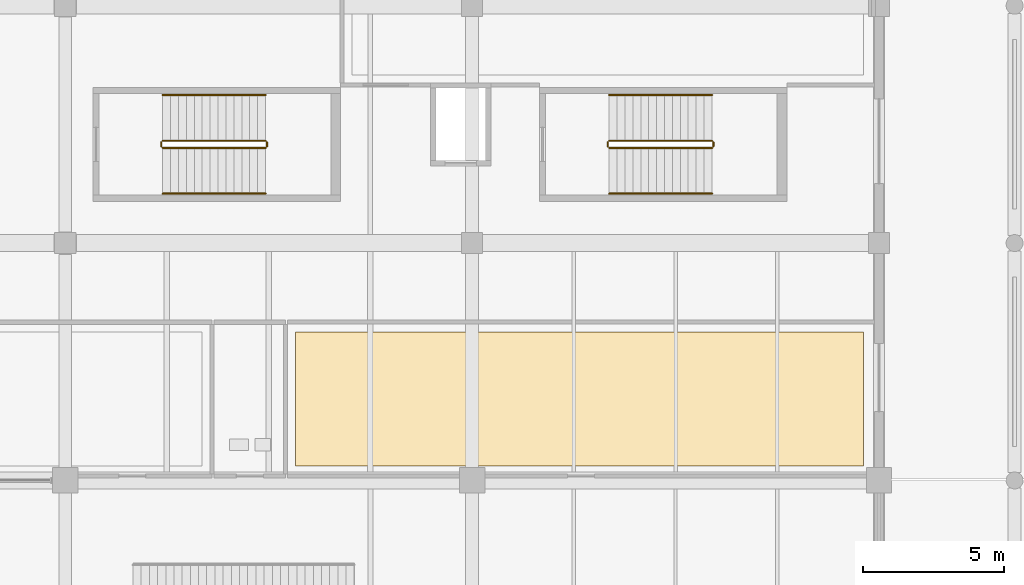
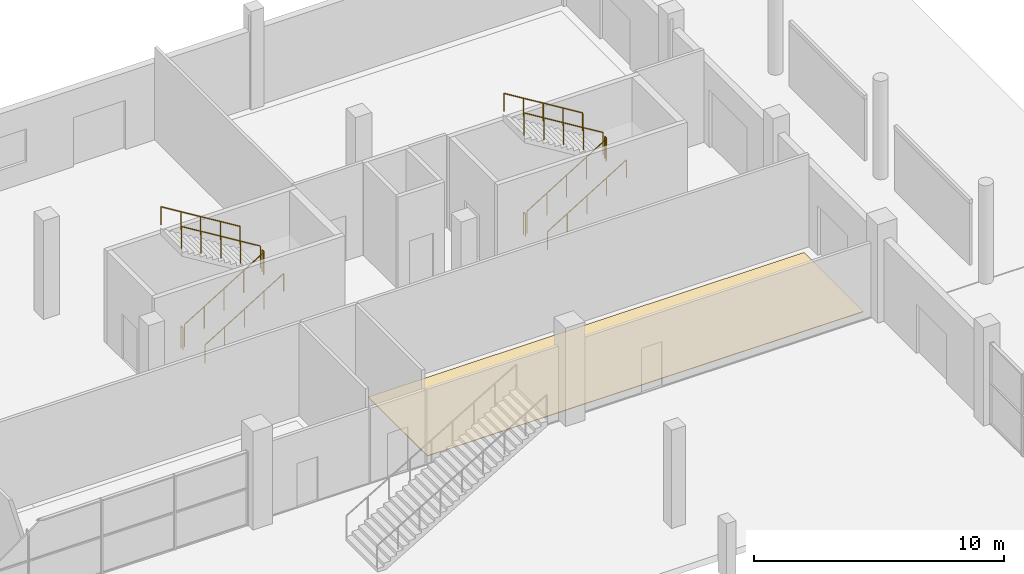
# One storey, part 123 of 130: 12 railings, 1 covering.
"""IFC4 building model written with IfcOpenShell, lengths in metres."""

from ifc_helpers import new_model, si_unit, direction, frame, origin, origin_2d, place, context, subcontext, project, spatial, polyline, circle, outline, extrude, material, layer, layer_set, type_object, element, save


model = new_model("IFC4")

# Units and contexts
model_context = context("Model", 3, precision=1e-05, world=origin(), true_north=direction((0.0, 1.0)))
body_context = subcontext(model_context, "Body", "Model", "MODEL_VIEW")
ifc_project = project(units=[si_unit("LENGTHUNIT", "METRE"), si_unit("AREAUNIT", "SQUARE_METRE"), si_unit("VOLUMEUNIT", "CUBIC_METRE"), si_unit("PLANEANGLEUNIT", "RADIAN"), si_unit("MASSUNIT", "GRAM", prefix="KILO"), si_unit("THERMODYNAMICTEMPERATUREUNIT", "KELVIN")], contexts=[model_context])

# Site, building, storey
site_placement = place(None, origin())
site = spatial("IfcSite", under=ifc_project, at=site_placement, CompositionType="ELEMENT")
building_placement = place(site_placement, origin())
building = spatial("IfcBuilding", under=site, at=building_placement, Name="Nduvali Passage Aquatics Centre", CompositionType="ELEMENT")
storey_placement = place(building_placement, origin())
storey = spatial("IfcBuildingStorey", under=building, at=storey_placement, Name="L00", CompositionType="ELEMENT", Elevation=0.0)

# Covering
ifc_material_1 = material(Name="Polished coral-aggregate terrazzo")
ifc_layer = layer(ifc_material_1, 0.030029296875, Name="Polished coral-aggregate terrazzo")
ifc_layer_set = layer_set([ifc_layer], Name="Polished coral-aggregate terrazzo")
covering_type = type_object("IfcCoveringType", Name="INT-COV-TERRAZZO", PredefinedType="FLOORING", material=ifc_layer_set)
covering_placement = place(storey_placement, origin())
element("IfcCovering", 1, at=covering_placement, inside=storey, type_object=covering_type, Name="L00 Dar es Salaam Swimming Club Room Floor Finish", PredefinedType="FLOORING", context=body_context, shape_type="SweptSolid", body=[
    extrude(outline(polyline([(105.35009765625, 92.909912109375), (125.449951171875, 92.909912109375), (125.449951171875, 97.64990234375), (105.35009765625, 97.64990234375), (105.35009765625, 92.909912109375)])), origin(), (0.0, 0.0, 1.0), 0.030029296875),
])

# Railings
ifc_material_2 = material(Name="Stainless steel balustrade", Category="steel")
railing_type_1 = type_object("IfcRailingType", Name="INT-RLG-GRD110", PredefinedType="GUARDRAIL", material=ifc_material_2)
railing_1_placement = place(storey_placement, frame((116.449951171875, 104.169921875, 0.17138671875)))
element("IfcRailing", 2, at=railing_1_placement, inside=storey, type_object=railing_type_1, Name="L00 ST2 stair guard 1", PredefinedType="GUARDRAIL", context=body_context, shape_type="SweptSolid", body=[
    extrude(circle(Radius=0.02392578125, at=origin_2d()), frame((0.0, 0.0, 1.076171875), z_axis=(0.852865859571, 0.0, 0.52213008492), x_axis=(0.0, 1.0, 0.0)), (0.0, 0.0, 1.0), 4.26806640625),
    extrude(circle(Radius=0.02099609375, at=origin_2d()), origin(), (0.0, 0.0, 1.0), 1.052001953125),
    extrude(circle(Radius=0.02099609375, at=origin_2d()), frame((0.91015625, 0.0, 0.55712890625)), (0.0, 0.0, 1.0), 1.052001953125),
    extrude(circle(Radius=0.02099609375, at=origin_2d()), frame((1.820068359375, 0.0, 1.1142578125)), (0.0, 0.0, 1.0), 1.052001953125),
    extrude(circle(Radius=0.02099609375, at=origin_2d()), frame((2.72998046875, 0.0, 1.67138671875)), (0.0, 0.0, 1.0), 1.052001953125),
    extrude(circle(Radius=0.02099609375, at=origin_2d()), frame((3.64013671875, 0.0, 2.228515625)), (0.0, 0.0, 1.0), 1.052001953125),
])
railing_2_placement = place(storey_placement, frame((120.139892578125, 104.219970703125, 2.39990234375)))
element("IfcRailing", 3, at=railing_2_placement, inside=storey, type_object=railing_type_1, Name="L00 ST2 stair guard 2", PredefinedType="GUARDRAIL", context=body_context, shape_type="SweptSolid", body=[
    extrude(circle(Radius=0.02392578125, at=origin_2d()), frame((0.0, 0.0, 1.076171875), z_axis=(0.0, 1.0, 0.0), x_axis=(-1.0, 0.0, 0.0)), (0.0, 0.0, 1.0), 0.150146484375),
    extrude(circle(Radius=0.02099609375, at=origin_2d()), origin(), (0.0, 0.0, 1.0), 1.052001953125),
    extrude(circle(Radius=0.02099609375, at=origin_2d()), frame((0.0, 0.150146484375, 0.0)), (0.0, 0.0, 1.0), 1.052001953125),
])
railing_3_placement = place(storey_placement, frame((120.090087890625, 104.419921875, 2.571533203125)))
element("IfcRailing", 4, at=railing_3_placement, inside=storey, type_object=railing_type_1, Name="L00 ST2 stair guard 3", PredefinedType="GUARDRAIL", context=body_context, shape_type="SweptSolid", body=[
    extrude(circle(Radius=0.02392578125, at=origin_2d()), frame((0.0, 0.0, 1.076171875), z_axis=(-0.852865859571, 0.0, 0.52213008492), x_axis=(0.0, -1.0, 0.0)), (0.0, 0.0, 1.0), 4.26806640625),
    extrude(circle(Radius=0.02099609375, at=origin_2d()), origin(), (0.0, 0.0, 1.0), 1.052001953125),
    extrude(circle(Radius=0.02099609375, at=origin_2d()), frame((-0.91015625, 0.0, 0.55712890625)), (0.0, 0.0, 1.0), 1.052001953125),
    extrude(circle(Radius=0.02099609375, at=origin_2d()), frame((-1.820068359375, 0.0, 1.1142578125)), (0.0, 0.0, 1.0), 1.052001953125),
    extrude(circle(Radius=0.02099609375, at=origin_2d()), frame((-2.72998046875, 0.0, 1.67138671875)), (0.0, 0.0, 1.0), 1.052001953125),
    extrude(circle(Radius=0.02099609375, at=origin_2d()), frame((-3.64013671875, 0.0, 2.228515625)), (0.0, 0.0, 1.0), 1.052001953125),
])
railing_4_placement = place(storey_placement, frame((116.39990234375, 104.219970703125, 0.0)))
element("IfcRailing", 5, at=railing_4_placement, inside=storey, type_object=railing_type_1, Name="L00 ST2 stair guard 4", PredefinedType="GUARDRAIL", context=body_context, shape_type="SweptSolid", body=[
    extrude(circle(Radius=0.02392578125, at=origin_2d()), frame((0.0, 0.0, 1.076171875), z_axis=(0.0, 1.0, 0.0), x_axis=(-1.0, 0.0, 0.0)), (0.0, 0.0, 1.0), 0.150146484375),
    extrude(circle(Radius=0.02099609375, at=origin_2d()), origin(), (0.0, 0.0, 1.0), 1.052001953125),
    extrude(circle(Radius=0.02099609375, at=origin_2d()), frame((0.0, 0.150146484375, 0.0)), (0.0, 0.0, 1.0), 1.052001953125),
])
railing_5_placement = place(storey_placement, frame((100.64990234375, 104.169921875, 0.17138671875)))
element("IfcRailing", 6, at=railing_5_placement, inside=storey, type_object=railing_type_1, Name="L00 ST11 stair guard 1", PredefinedType="GUARDRAIL", context=body_context, shape_type="SweptSolid", body=[
    extrude(circle(Radius=0.02392578125, at=origin_2d()), frame((0.0, 0.0, 1.076171875), z_axis=(0.852865859571, 0.0, 0.52213008492), x_axis=(0.0, 1.0, 0.0)), (0.0, 0.0, 1.0), 4.26806640625),
    extrude(circle(Radius=0.02099609375, at=origin_2d()), origin(), (0.0, 0.0, 1.0), 1.052001953125),
    extrude(circle(Radius=0.02099609375, at=origin_2d()), frame((0.91015625, 0.0, 0.55712890625)), (0.0, 0.0, 1.0), 1.052001953125),
    extrude(circle(Radius=0.02099609375, at=origin_2d()), frame((1.820068359375, 0.0, 1.1142578125)), (0.0, 0.0, 1.0), 1.052001953125),
    extrude(circle(Radius=0.02099609375, at=origin_2d()), frame((2.72998046875, 0.0, 1.67138671875)), (0.0, 0.0, 1.0), 1.052001953125),
    extrude(circle(Radius=0.02099609375, at=origin_2d()), frame((3.64013671875, 0.0, 2.228515625)), (0.0, 0.0, 1.0), 1.052001953125),
])
railing_6_placement = place(storey_placement, frame((104.340087890625, 104.219970703125, 2.39990234375)))
element("IfcRailing", 7, at=railing_6_placement, inside=storey, type_object=railing_type_1, Name="L00 ST11 stair guard 2", PredefinedType="GUARDRAIL", context=body_context, shape_type="SweptSolid", body=[
    extrude(circle(Radius=0.02392578125, at=origin_2d()), frame((0.0, 0.0, 1.076171875), z_axis=(0.0, 1.0, 0.0), x_axis=(-1.0, 0.0, 0.0)), (0.0, 0.0, 1.0), 0.150146484375),
    extrude(circle(Radius=0.02099609375, at=origin_2d()), origin(), (0.0, 0.0, 1.0), 1.052001953125),
    extrude(circle(Radius=0.02099609375, at=origin_2d()), frame((0.0, 0.150146484375, 0.0)), (0.0, 0.0, 1.0), 1.052001953125),
])
railing_7_placement = place(storey_placement, frame((104.2900390625, 104.419921875, 2.571533203125)))
element("IfcRailing", 8, at=railing_7_placement, inside=storey, type_object=railing_type_1, Name="L00 ST11 stair guard 3", PredefinedType="GUARDRAIL", context=body_context, shape_type="SweptSolid", body=[
    extrude(circle(Radius=0.02392578125, at=origin_2d()), frame((0.0, 0.0, 1.076171875), z_axis=(-0.852865859571, 0.0, 0.52213008492), x_axis=(0.0, -1.0, 0.0)), (0.0, 0.0, 1.0), 4.26806640625),
    extrude(circle(Radius=0.02099609375, at=origin_2d()), origin(), (0.0, 0.0, 1.0), 1.052001953125),
    extrude(circle(Radius=0.02099609375, at=origin_2d()), frame((-0.91015625, 0.0, 0.55712890625)), (0.0, 0.0, 1.0), 1.052001953125),
    extrude(circle(Radius=0.02099609375, at=origin_2d()), frame((-1.820068359375, 0.0, 1.1142578125)), (0.0, 0.0, 1.0), 1.052001953125),
    extrude(circle(Radius=0.02099609375, at=origin_2d()), frame((-2.72998046875, 0.0, 1.67138671875)), (0.0, 0.0, 1.0), 1.052001953125),
    extrude(circle(Radius=0.02099609375, at=origin_2d()), frame((-3.64013671875, 0.0, 2.228515625)), (0.0, 0.0, 1.0), 1.052001953125),
])
railing_8_placement = place(storey_placement, frame((100.60009765625, 104.219970703125, 0.0)))
element("IfcRailing", 9, at=railing_8_placement, inside=storey, type_object=railing_type_1, Name="L00 ST11 stair guard 4", PredefinedType="GUARDRAIL", context=body_context, shape_type="SweptSolid", body=[
    extrude(circle(Radius=0.02392578125, at=origin_2d()), frame((0.0, 0.0, 1.076171875), z_axis=(0.0, 1.0, 0.0), x_axis=(-1.0, 0.0, 0.0)), (0.0, 0.0, 1.0), 0.150146484375),
    extrude(circle(Radius=0.02099609375, at=origin_2d()), origin(), (0.0, 0.0, 1.0), 1.052001953125),
    extrude(circle(Radius=0.02099609375, at=origin_2d()), frame((0.0, 0.150146484375, 0.0)), (0.0, 0.0, 1.0), 1.052001953125),
])
railing_type_2 = type_object("IfcRailingType", Name="INT-RLG-HND90", PredefinedType="HANDRAIL", material=ifc_material_2)
railing_9_placement = place(storey_placement, frame((116.449951171875, 102.550048828125, 0.346435546875)))
element("IfcRailing", 10, at=railing_9_placement, inside=storey, type_object=railing_type_2, Name="L00 ST2 stair handrail 1", PredefinedType="HANDRAIL", context=body_context, shape_type="SweptSolid", body=[
    extrude(circle(Radius=0.02392578125, at=origin_2d()), frame((0.0, 0.0, 0.8759765625), z_axis=(0.852865859571, 0.0, 0.52213008492), x_axis=(0.0, 1.0, 0.0)), (0.0, 0.0, 1.0), 4.26806640625),
    extrude(circle(Radius=0.02099609375, at=origin_2d()), origin(), (0.0, 0.0, 1.0), 0.851806640625),
    extrude(circle(Radius=0.02099609375, at=origin_2d()), frame((0.91015625, 0.0, 0.55712890625)), (0.0, 0.0, 1.0), 0.851806640625),
    extrude(circle(Radius=0.02099609375, at=origin_2d()), frame((1.820068359375, 0.0, 1.1142578125)), (0.0, 0.0, 1.0), 0.851806640625),
    extrude(circle(Radius=0.02099609375, at=origin_2d()), frame((2.72998046875, 0.0, 1.67138671875)), (0.0, 0.0, 1.0), 0.851806640625),
    extrude(circle(Radius=0.02099609375, at=origin_2d()), frame((3.64013671875, 0.0, 2.228515625)), (0.0, 0.0, 1.0), 0.851806640625),
])
railing_10_placement = place(storey_placement, frame((120.090087890625, 106.0400390625, 2.746337890625)))
element("IfcRailing", 11, at=railing_10_placement, inside=storey, type_object=railing_type_2, Name="L00 ST2 stair handrail 2", PredefinedType="HANDRAIL", context=body_context, shape_type="SweptSolid", body=[
    extrude(circle(Radius=0.02392578125, at=origin_2d()), frame((0.0, 0.0, 0.8759765625), z_axis=(-0.852865859571, 0.0, 0.52213008492), x_axis=(0.0, -1.0, 0.0)), (0.0, 0.0, 1.0), 4.26806640625),
    extrude(circle(Radius=0.02099609375, at=origin_2d()), origin(), (0.0, 0.0, 1.0), 0.851806640625),
    extrude(circle(Radius=0.02099609375, at=origin_2d()), frame((-0.91015625, 0.0, 0.55712890625)), (0.0, 0.0, 1.0), 0.851806640625),
    extrude(circle(Radius=0.02099609375, at=origin_2d()), frame((-1.820068359375, 0.0, 1.1142578125)), (0.0, 0.0, 1.0), 0.851806640625),
    extrude(circle(Radius=0.02099609375, at=origin_2d()), frame((-2.72998046875, 0.0, 1.67138671875)), (0.0, 0.0, 1.0), 0.851806640625),
    extrude(circle(Radius=0.02099609375, at=origin_2d()), frame((-3.64013671875, 0.0, 2.228515625)), (0.0, 0.0, 1.0), 0.851806640625),
])
railing_11_placement = place(storey_placement, frame((100.64990234375, 102.550048828125, 0.346435546875)))
element("IfcRailing", 12, at=railing_11_placement, inside=storey, type_object=railing_type_2, Name="L00 ST11 stair handrail 1", PredefinedType="HANDRAIL", context=body_context, shape_type="SweptSolid", body=[
    extrude(circle(Radius=0.02392578125, at=origin_2d()), frame((0.0, 0.0, 0.8759765625), z_axis=(0.852865859571, 0.0, 0.52213008492), x_axis=(0.0, 1.0, 0.0)), (0.0, 0.0, 1.0), 4.26806640625),
    extrude(circle(Radius=0.02099609375, at=origin_2d()), origin(), (0.0, 0.0, 1.0), 0.851806640625),
    extrude(circle(Radius=0.02099609375, at=origin_2d()), frame((0.91015625, 0.0, 0.55712890625)), (0.0, 0.0, 1.0), 0.851806640625),
    extrude(circle(Radius=0.02099609375, at=origin_2d()), frame((1.820068359375, 0.0, 1.1142578125)), (0.0, 0.0, 1.0), 0.851806640625),
    extrude(circle(Radius=0.02099609375, at=origin_2d()), frame((2.72998046875, 0.0, 1.67138671875)), (0.0, 0.0, 1.0), 0.851806640625),
    extrude(circle(Radius=0.02099609375, at=origin_2d()), frame((3.64013671875, 0.0, 2.228515625)), (0.0, 0.0, 1.0), 0.851806640625),
])
railing_12_placement = place(storey_placement, frame((104.2900390625, 106.0400390625, 2.746337890625)))
element("IfcRailing", 13, at=railing_12_placement, inside=storey, type_object=railing_type_2, Name="L00 ST11 stair handrail 2", PredefinedType="HANDRAIL", context=body_context, shape_type="SweptSolid", body=[
    extrude(circle(Radius=0.02392578125, at=origin_2d()), frame((0.0, 0.0, 0.8759765625), z_axis=(-0.852865859571, 0.0, 0.52213008492), x_axis=(0.0, -1.0, 0.0)), (0.0, 0.0, 1.0), 4.26806640625),
    extrude(circle(Radius=0.02099609375, at=origin_2d()), origin(), (0.0, 0.0, 1.0), 0.851806640625),
    extrude(circle(Radius=0.02099609375, at=origin_2d()), frame((-0.91015625, 0.0, 0.55712890625)), (0.0, 0.0, 1.0), 0.851806640625),
    extrude(circle(Radius=0.02099609375, at=origin_2d()), frame((-1.820068359375, 0.0, 1.1142578125)), (0.0, 0.0, 1.0), 0.851806640625),
    extrude(circle(Radius=0.02099609375, at=origin_2d()), frame((-2.72998046875, 0.0, 1.67138671875)), (0.0, 0.0, 1.0), 0.851806640625),
    extrude(circle(Radius=0.02099609375, at=origin_2d()), frame((-3.64013671875, 0.0, 2.228515625)), (0.0, 0.0, 1.0), 0.851806640625),
])

save(model, "model.ifc")
